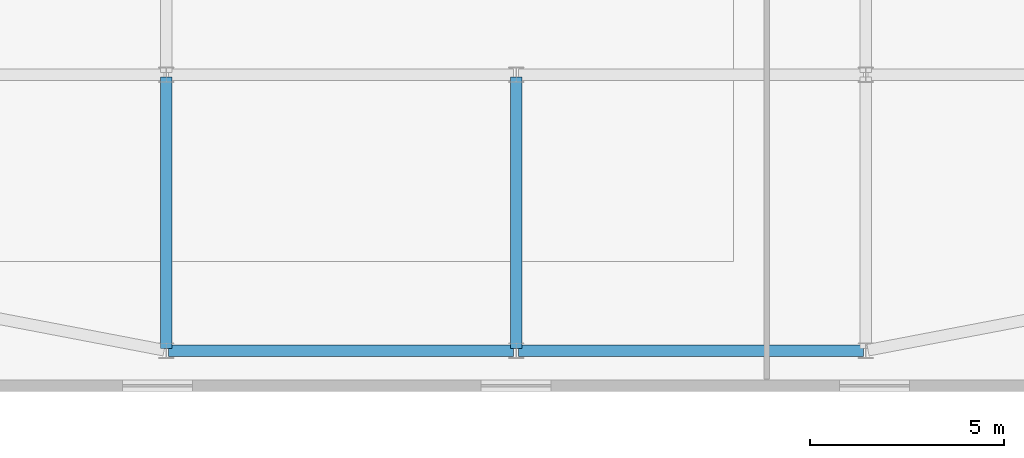
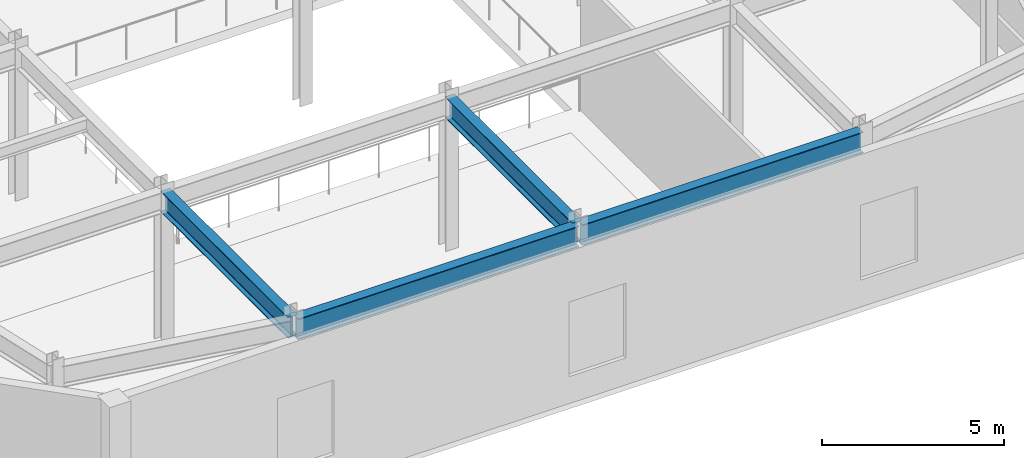
# One storey, part 33 of 52: 4 beams.
"""IFC4 building model written with IfcOpenShell, lengths in metres."""

from ifc_helpers import new_model, si_unit, direction, frame, origin, origin_2d, place, context, subcontext, project, spatial, i_section, extrude, material, material_profile, profile_set, type_object, element, save


model = new_model("IFC4")

# Units and contexts
model_context = context("Model", 3, precision=1e-05, world=origin(), true_north=direction((0.0, 1.0)))
body_context = subcontext(model_context, "Body", "Model", "MODEL_VIEW")
ifc_project = project(units=[si_unit("LENGTHUNIT", "METRE"), si_unit("AREAUNIT", "SQUARE_METRE"), si_unit("VOLUMEUNIT", "CUBIC_METRE"), si_unit("PLANEANGLEUNIT", "RADIAN"), si_unit("MASSUNIT", "GRAM", prefix="KILO")], contexts=[model_context])

# Site, building, storey
site_placement = place(None, origin())
site = spatial("IfcSite", under=ifc_project, at=site_placement, CompositionType="ELEMENT")
building_placement = place(site_placement, origin())
building = spatial("IfcBuilding", under=site, at=building_placement, Name="Saevonmaru Cultural Tower", CompositionType="ELEMENT")
storey_placement = place(building_placement, frame((0.0, 0.0, 11.39990234375)))
storey = spatial("IfcBuildingStorey", under=building, at=storey_placement, Name="L02", CompositionType="ELEMENT", Elevation=11.39990234375)

# Beams
ifc_material = material(Name="Steel SM355", Category="steel")
ifc_material_profile = material_profile(ifc_material, i_section(OverallWidth=0.300048828125, OverallDepth=0.699951171875, WebThickness=0.012939453125, FlangeThickness=0.02392578125, FilletRadius=0.02587890625, at=origin_2d()), Name="H-700x300x13x24")
ifc_profile_set = profile_set([ifc_material_profile], Name="Steel SM355")
beam_type = type_object("IfcBeamType", Name="BM-G-H700", PredefinedType="BEAM", material=ifc_profile_set)
for number, where, z_axis, x_axis, name in (
    (1, (81.260009765625, 8.89990234375, 4.75), (1.0, 0.0, 0.0), (0.0, 1.0, 0.0), "L02 Library Girder EW-1-2"),
    (2, (90.260009765625, 8.89990234375, 4.75), (1.0, 0.0, 0.0), (0.0, 1.0, 0.0), "L02 Library Girder EW-1-3"),
):
    element("IfcBeam", number, at=place(storey_placement, frame(where, z_axis=z_axis, x_axis=x_axis)), inside=storey, type_object=beam_type, Name=name, PredefinedType="BEAM", context=body_context, shape_type="SweptSolid", body=[
        extrude(i_section(OverallWidth=0.300048828125, OverallDepth=0.699951171875, WebThickness=0.012939453125, FlangeThickness=0.02392578125, FilletRadius=0.02587890625, at=origin_2d()), origin(), (0.0, 0.0, 1.0), 8.8798828125),
    ])
for number, where, z_axis, x_axis, name in (
    (3, (81.199951171875, 8.9599609375, 4.75), (0.0, 1.0, 0.0), (-1.0, 0.0, 0.0), "L02 Library Girder NS-2-1"),
    (4, (90.199951171875, 8.9599609375, 4.75), (0.0, 1.0, 0.0), (-1.0, 0.0, 0.0), "L02 Library Girder NS-3-1"),
):
    element("IfcBeam", number, at=place(storey_placement, frame(where, z_axis=z_axis, x_axis=x_axis)), inside=storey, type_object=beam_type, Name=name, PredefinedType="BEAM", context=body_context, shape_type="SweptSolid", body=[
        extrude(i_section(OverallWidth=0.300048828125, OverallDepth=0.699951171875, WebThickness=0.012939453125, FlangeThickness=0.02392578125, FilletRadius=0.02587890625, at=origin_2d()), origin(), (0.0, 0.0, 1.0), 6.97998046875),
    ])

save(model, "model.ifc")
